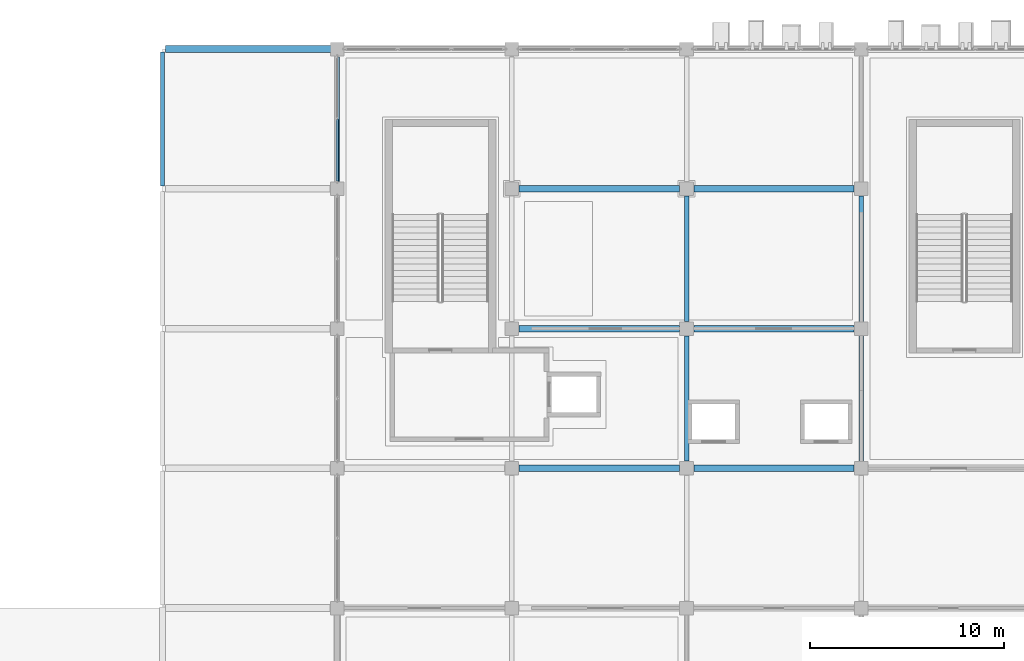
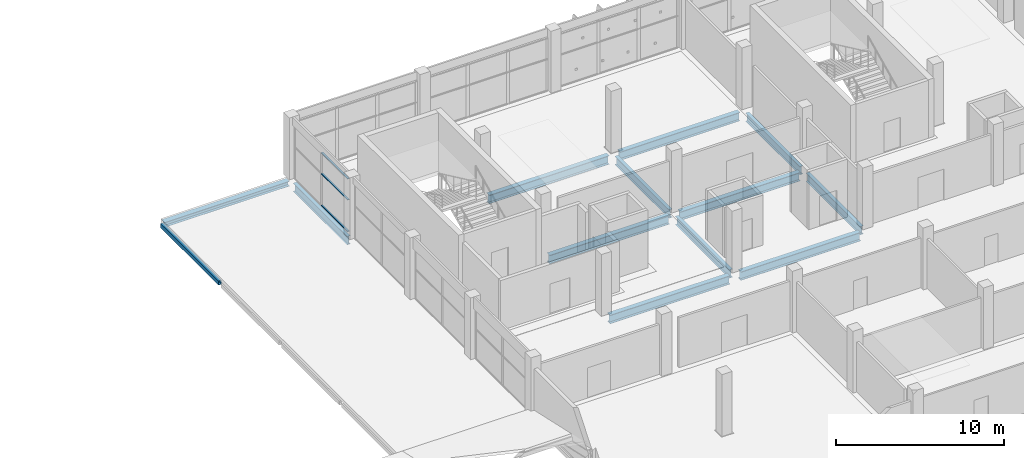
# One storey, part 70 of 151: 13 beams, 3 members, 1 element without a shape of its own.
"""IFC4 building model written with IfcOpenShell, lengths in metres."""

from ifc_helpers import new_model, si_unit, direction, frame, origin, origin_2d, place, context, subcontext, project, spatial, hollow_rectangle, i_section, extrude, material, layer, layer_set, material_profile, profile_set, type_object, element, aggregate, save


model = new_model("IFC4")

# Units and contexts
model_context = context("Model", 3, precision=1e-05, world=origin(), true_north=direction((0.0, 1.0)))
body_context = subcontext(model_context, "Body", "Model", "MODEL_VIEW")
ifc_project = project(units=[si_unit("LENGTHUNIT", "METRE"), si_unit("AREAUNIT", "SQUARE_METRE"), si_unit("VOLUMEUNIT", "CUBIC_METRE"), si_unit("PLANEANGLEUNIT", "RADIAN"), si_unit("MASSUNIT", "GRAM", prefix="KILO")], contexts=[model_context])

# Site, building, storey
site_placement = place(None, origin())
site = spatial("IfcSite", under=ifc_project, at=site_placement, CompositionType="ELEMENT")
building_placement = place(site_placement, origin())
building = spatial("IfcBuilding", under=site, at=building_placement, Name="Celestram Park Convention Centre", CompositionType="ELEMENT")
storey_placement = place(building_placement, frame((0.0, 0.0, 10.800048828125)))
storey = spatial("IfcBuildingStorey", under=building, at=storey_placement, Name="L02", CompositionType="ELEMENT", Elevation=10.800048828125)

# Curtain wall, members
ifc_material_1 = material(Name="Anodised Aluminium Alloy 6063-T6", Category="aluminium")
ifc_layer = layer(ifc_material_1, 0.179931640625)
ifc_layer_set = layer_set([ifc_layer], Name="Anodised Aluminium Alloy 6063-T6")
curtain_wall_type = type_object("IfcCurtainWallType", Name="ARC-CW-650X389", PredefinedType="NOTDEFINED", material=ifc_layer_set)
curtain_wall_placement = place(storey_placement, origin())
curtain_wall = element("IfcCurtainWall", 1, at=curtain_wall_placement, inside=storey, type_object=curtain_wall_type, Name="Unitised curtain wall CU-L02-149", PredefinedType="NOTDEFINED")
ifc_material_profile_1 = material_profile(ifc_material_1, hollow_rectangle(XDim=0.1201171875, YDim=0.06005859375, WallThickness=0.0029296875, at=origin_2d()), Name="ALU120X60X3")
ifc_profile_set_1 = profile_set([ifc_material_profile_1], Name="Anodised Aluminium Alloy 6063-T6")
member_type = type_object("IfcMemberType", Name="ARC-CWT-120", PredefinedType="USERDEFINED", material=ifc_profile_set_1)
member_1_placement = place(storey_placement, frame((36.0, 158.81298828125, 0.030029296875), z_axis=(0.0, 1.0, 0.0), x_axis=(-1.0, 0.0, 0.0)))
member_1 = element("IfcMember", 2, at=member_1_placement, type_object=member_type, Name="CW-65X38 transom 1.1", ObjectType="TRANSOM", PredefinedType="USERDEFINED", context=body_context, shape_type="SweptSolid", body=[
    extrude(hollow_rectangle(XDim=0.1201171875, YDim=0.06005859375, WallThickness=0.0029296875, at=origin_2d()), origin(), (0.0, 0.0, 1.0), 3.154541015625),
])
member_2_placement = place(storey_placement, frame((36.0, 158.81298828125, 2.3359375), z_axis=(0.0, 1.0, 0.0), x_axis=(-1.0, 0.0, 0.0)))
member_2 = element("IfcMember", 3, at=member_2_placement, type_object=member_type, Name="CW-65X38 transom 1.2", ObjectType="TRANSOM", PredefinedType="USERDEFINED", context=body_context, shape_type="SweptSolid", body=[
    extrude(hollow_rectangle(XDim=0.1201171875, YDim=0.06005859375, WallThickness=0.0029296875, at=origin_2d()), origin(), (0.0, 0.0, 1.0), 3.154541015625),
])
member_3_placement = place(storey_placement, frame((36.0, 158.81298828125, 3.864013671875), z_axis=(0.0, 1.0, 0.0), x_axis=(-1.0, 0.0, 0.0)))
member_3 = element("IfcMember", 4, at=member_3_placement, type_object=member_type, Name="CW-65X38 transom 1.3", ObjectType="TRANSOM", PredefinedType="USERDEFINED", context=body_context, shape_type="SweptSolid", body=[
    extrude(hollow_rectangle(XDim=0.1201171875, YDim=0.06005859375, WallThickness=0.0029296875, at=origin_2d()), origin(), (0.0, 0.0, 1.0), 3.154541015625),
])
aggregate(curtain_wall, [member_1, member_2, member_3])

# Beams
ifc_material_2 = material(Name="Steel ASTM A992 Grade 50", Category="steel")
ifc_material_profile_2 = material_profile(ifc_material_2, i_section(OverallWidth=0.327880859375, OverallDepth=0.6220703125, WebThickness=0.015380859375, FlangeThickness=0.0244140625, at=origin_2d()), Name="W24X131")
ifc_profile_set_2 = profile_set([ifc_material_profile_2], Name="Steel ASTM A992 Grade 50")
beam_type_1 = type_object("IfcBeamType", Name="STR-BM-W24X131", PredefinedType="BEAM", material=ifc_profile_set_2)
for number, where, z_axis, x_axis, name in (
    (5, (45.373046875, 144.0, -0.591064453125), (1.0, 0.0, 0.0), (0.0, 1.0, 0.0), "Primary X-girder BG-L02-0033"),
    (6, (45.373046875, 151.199951171875, -0.591064453125), (1.0, 0.0, 0.0), (0.0, 1.0, 0.0), "Primary X-girder BG-L02-0035"),
    (7, (45.373046875, 158.39990234375, -0.591064453125), (1.0, 0.0, 0.0), (0.0, 1.0, 0.0), "Primary X-girder BG-L02-0037"),
    (8, (54.373046875, 144.0, -0.591064453125), (1.0, 0.0, 0.0), (0.0, 1.0, 0.0), "Primary X-girder BG-L02-0047"),
    (9, (54.373046875, 151.199951171875, -0.591064453125), (1.0, 0.0, 0.0), (0.0, 1.0, 0.0), "Primary X-girder BG-L02-0049"),
    (10, (54.373046875, 158.39990234375, -0.591064453125), (1.0, 0.0, 0.0), (0.0, 1.0, 0.0), "Primary X-girder BG-L02-0051"),
):
    element("IfcBeam", number, at=place(storey_placement, frame(where, z_axis=z_axis, x_axis=x_axis)), inside=storey, type_object=beam_type_1, Name=name, PredefinedType="BEAM", context=body_context, shape_type="SweptSolid", body=[
        extrude(i_section(OverallWidth=0.327880859375, OverallDepth=0.6220703125, WebThickness=0.015380859375, FlangeThickness=0.0244140625, at=origin_2d()), origin(), (0.0, 0.0, 1.0), 8.25390625),
    ])
ifc_material_profile_3 = material_profile(ifc_material_2, i_section(OverallWidth=0.22900390625, OverallDepth=0.612060546875, WebThickness=0.011962890625, FlangeThickness=0.01953125, at=origin_2d()), Name="W24X84")
ifc_profile_set_3 = profile_set([ifc_material_profile_3], Name="Steel ASTM A992 Grade 50")
beam_type_2 = type_object("IfcBeamType", Name="STR-BM-W24X84", PredefinedType="BEAM", material=ifc_profile_set_3)
beam_1_placement = place(storey_placement, frame((36.0, 158.77294921875, -0.5859375), z_axis=(0.0, 1.0, 0.0), x_axis=(-1.0, 0.0, 0.0)))
element("IfcBeam", 11, at=beam_1_placement, inside=storey, type_object=beam_type_2, Name="Primary Y-girder BG-L02-0022", PredefinedType="BEAM", context=body_context, shape_type="SweptSolid", body=[
    extrude(i_section(OverallWidth=0.22900390625, OverallDepth=0.612060546875, WebThickness=0.011962890625, FlangeThickness=0.01953125, at=origin_2d()), origin(), (0.0, 0.0, 1.0), 6.428955078125),
])
beam_2_placement = place(storey_placement, frame((54.0, 144.373046875, -0.5859375), z_axis=(0.0, 1.0, 0.0), x_axis=(-1.0, 0.0, 0.0)))
element("IfcBeam", 12, at=beam_2_placement, inside=storey, type_object=beam_type_2, Name="Primary Y-girder BG-L02-0048", PredefinedType="BEAM", context=body_context, shape_type="SweptSolid", body=[
    extrude(i_section(OverallWidth=0.22900390625, OverallDepth=0.612060546875, WebThickness=0.011962890625, FlangeThickness=0.01953125, at=origin_2d()), origin(), (0.0, 0.0, 1.0), 6.453857421875),
])
beam_3_placement = place(storey_placement, frame((54.0, 151.572998046875, -0.5859375), z_axis=(0.0, 1.0, 0.0), x_axis=(-1.0, 0.0, 0.0)))
element("IfcBeam", 13, at=beam_3_placement, inside=storey, type_object=beam_type_2, Name="Primary Y-girder BG-L02-0050", PredefinedType="BEAM", context=body_context, shape_type="SweptSolid", body=[
    extrude(i_section(OverallWidth=0.22900390625, OverallDepth=0.612060546875, WebThickness=0.011962890625, FlangeThickness=0.01953125, at=origin_2d()), origin(), (0.0, 0.0, 1.0), 6.4541015625),
])
beam_4_placement = place(storey_placement, frame((63.0, 144.373046875, -0.5859375), z_axis=(0.0, 1.0, 0.0), x_axis=(-1.0, 0.0, 0.0)))
element("IfcBeam", 14, at=beam_4_placement, inside=storey, type_object=beam_type_2, Name="Primary Y-girder BG-L02-0062", PredefinedType="BEAM", context=body_context, shape_type="SweptSolid", body=[
    extrude(i_section(OverallWidth=0.22900390625, OverallDepth=0.612060546875, WebThickness=0.011962890625, FlangeThickness=0.01953125, at=origin_2d()), origin(), (0.0, 0.0, 1.0), 6.453857421875),
])
beam_5_placement = place(storey_placement, frame((63.0, 151.572998046875, -0.5859375), z_axis=(0.0, 1.0, 0.0), x_axis=(-1.0, 0.0, 0.0)))
element("IfcBeam", 15, at=beam_5_placement, inside=storey, type_object=beam_type_2, Name="Primary Y-girder BG-L02-0063", PredefinedType="BEAM", context=body_context, shape_type="SweptSolid", body=[
    extrude(i_section(OverallWidth=0.22900390625, OverallDepth=0.612060546875, WebThickness=0.011962890625, FlangeThickness=0.01953125, at=origin_2d()), origin(), (0.0, 0.0, 1.0), 6.4541015625),
])
ifc_material_3 = material(Name="Steel ASTM A500 Grade C", Category="steel")
ifc_material_profile_4 = material_profile(ifc_material_3, hollow_rectangle(XDim=0.199951171875, YDim=0.300048828125, WallThickness=0.011962890625, at=origin_2d()), Name="HSS300X200X12")
ifc_profile_set_4 = profile_set([ifc_material_profile_4], Name="Steel ASTM A500 Grade C")
beam_type_3 = type_object("IfcBeamType", Name="STR-SPN-HSS300X200", PredefinedType="SPANDREL", material=ifc_profile_set_4)
beam_6_placement = place(storey_placement, frame((27.0, 158.548095703125, -0.39013671875), z_axis=(0.0, 1.0, 0.0), x_axis=(-1.0, 0.0, 0.0)))
element("IfcBeam", 16, at=beam_6_placement, inside=storey, type_object=beam_type_3, Name="Primary Y-girder BG-L02-0008", PredefinedType="SPANDREL", context=body_context, shape_type="SweptSolid", body=[
    extrude(hollow_rectangle(XDim=0.199951171875, YDim=0.300048828125, WallThickness=0.011962890625, at=origin_2d()), origin(), (0.0, 0.0, 1.0), 6.90380859375),
])
ifc_material_profile_5 = material_profile(ifc_material_2, i_section(OverallWidth=0.367919921875, OverallDepth=0.35595703125, WebThickness=0.01123046875, FlangeThickness=0.01806640625, at=origin_2d()), Name="W14X90")
ifc_profile_set_5 = profile_set([ifc_material_profile_5], Name="Steel ASTM A992 Grade 50")
beam_type_4 = type_object("IfcBeamType", Name="STR-SPN-W14X90", PredefinedType="SPANDREL", material=ifc_profile_set_5)
beam_7_placement = place(storey_placement, frame((27.14794921875, 165.60009765625, -0.41796875), z_axis=(1.0, 0.0, 0.0), x_axis=(0.0, 1.0, 0.0)))
element("IfcBeam", 17, at=beam_7_placement, inside=storey, type_object=beam_type_4, Name="Primary X-girder BG-L02-0009", PredefinedType="SPANDREL", context=body_context, shape_type="SweptSolid", body=[
    extrude(i_section(OverallWidth=0.367919921875, OverallDepth=0.35595703125, WebThickness=0.01123046875, FlangeThickness=0.01806640625, at=origin_2d()), origin(), (0.0, 0.0, 1.0), 8.60400390625),
])

save(model, "model.ifc")
